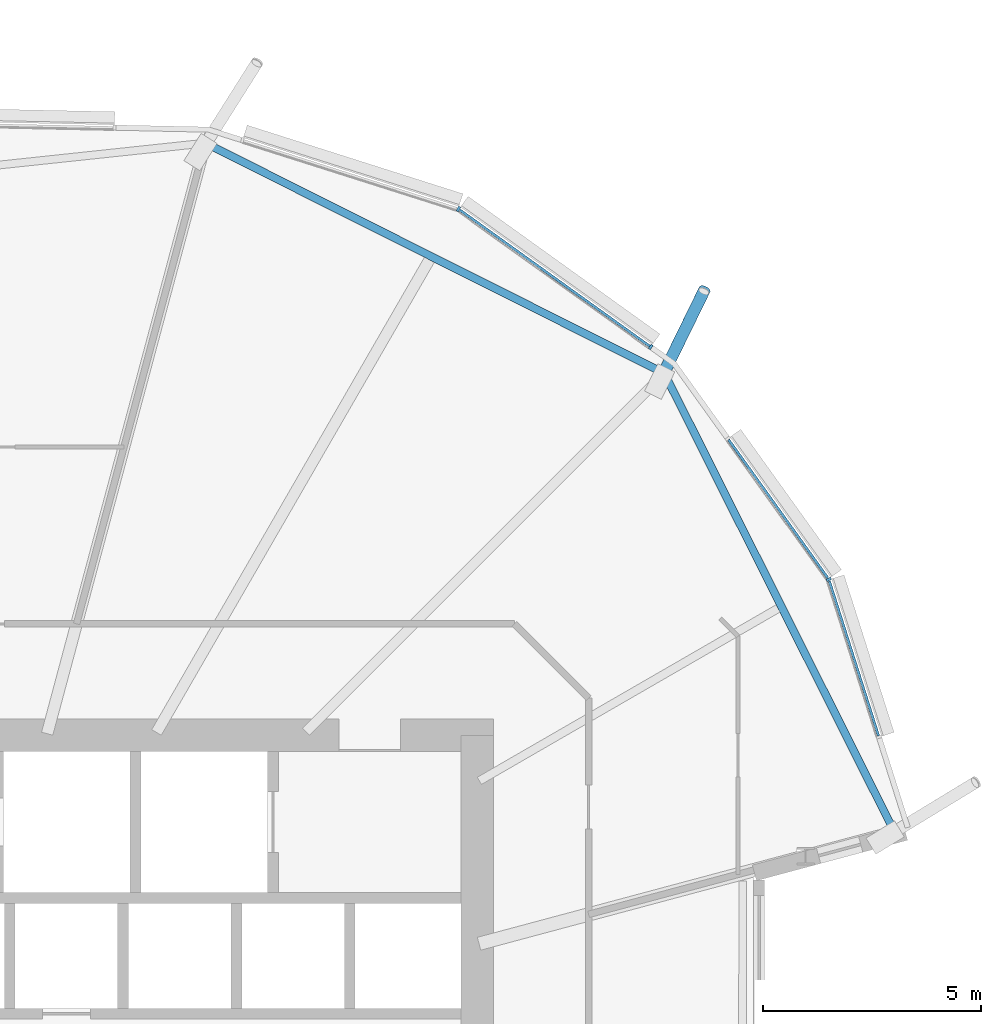
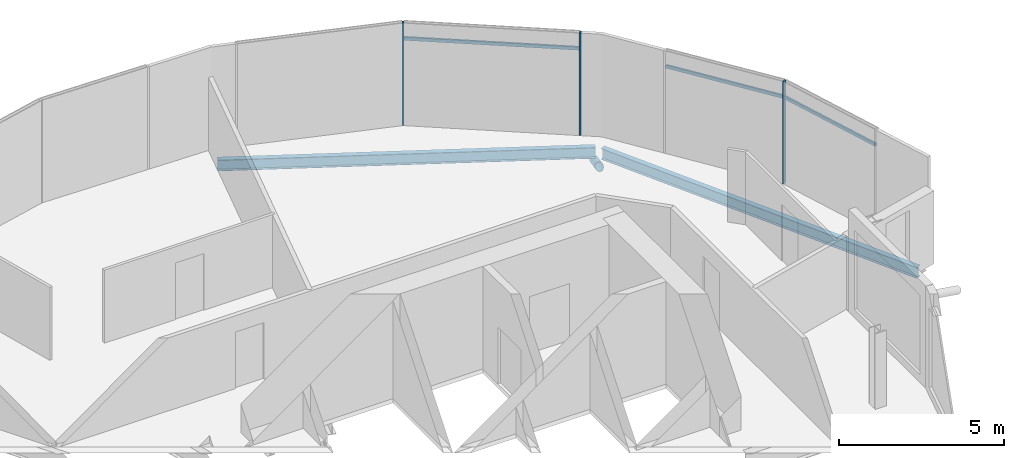
# One storey, part 19 of 38: 7 members, 2 beams, 1 element without a shape of its own.
"""IFC4 building model written with IfcOpenShell, lengths in metres."""

import ifcopenshell
import ifcopenshell.guid

model = None  # the IFC model being written
_history = None  # IfcOwnerHistory: only IFC2X3 demands one
_inside = {}  # id of a spatial element -> (the spatial element, [elements in it])
_under = {}  # id of a project, library or spatial element -> (it, [spatial elements below it])
_declared = {}  # id of a project -> (the project, [libraries it declares])
_typed = {}  # id of a type object -> (the type object, [elements of that type])
_made_of = {}  # id of a material, layer set ... -> (it, [elements and type objects made of it])


def new_model(schema):
    """Start an empty IFC model of exactly this schema.

    Asked for "IFC4X3", IfcOpenShell would pick the latest addendum, in which some entities
    have other attributes; the version numbers below select the first issue.
    IFC2X3 requires an IfcOwnerHistory on every rooted entity: one is made here for all.
    """
    global model, _history
    if schema == "IFC4X3":
        model = ifcopenshell.file(schema_version=(4, 3, 0, 0))
    else:
        model = ifcopenshell.file(schema=schema)
    _inside.clear()
    _under.clear()
    _declared.clear()
    _typed.clear()
    _made_of.clear()
    _history = None
    if model.schema == "IFC2X3":
        org = make("IfcOrganization", Name="unknown")
        user = make(
            "IfcPersonAndOrganization",
            ThePerson=make("IfcPerson", FamilyName="unknown"),
            TheOrganization=org,
        )
        app = make(
            "IfcApplication",
            ApplicationDeveloper=org,
            Version="unknown",
            ApplicationFullName="unknown",
            ApplicationIdentifier="unknown",
        )
        _history = make(
            "IfcOwnerHistory",
            OwningUser=user,
            OwningApplication=app,
            ChangeAction="ADDED",
            CreationDate=0,
        )
    return model


def make(cls, **values):
    """One entity of the class cls with the attributes given. An attribute that is None is left unset."""
    return model.create_entity(
        cls, **{name: value for name, value in values.items() if value is not None}
    )


def rooted(cls, **values):
    """An entity with a GlobalId (a new one), such as an element, a storey or a relation."""
    return make(cls, GlobalId=ifcopenshell.guid.new(), OwnerHistory=_history, **values)


def si_unit(unit_type, name, prefix=None):
    """IfcSIUnit, for example si_unit("LENGTHUNIT", "METRE", prefix="MILLI")."""
    return make("IfcSIUnit", UnitType=unit_type, Prefix=prefix, Name=name)


def assignment(units):
    """IfcUnitAssignment: the units of a project."""
    return None if units is None else make("IfcUnitAssignment", Units=units)


def point(xyz):
    """IfcCartesianPoint."""
    return None if xyz is None else make("IfcCartesianPoint", Coordinates=xyz)


def direction(xyz):
    """IfcDirection."""
    return None if xyz is None else make("IfcDirection", DirectionRatios=xyz)


def frame(location, z_axis=None, x_axis=None):
    """IfcAxis2Placement3D, a coordinate frame: its origin and axes. An axis left out is left unset."""
    return make(
        "IfcAxis2Placement3D",
        Location=point(location),
        Axis=direction(z_axis),
        RefDirection=direction(x_axis),
    )


def frame_2d(location, x_axis=None):
    """IfcAxis2Placement2D, a coordinate frame in the plane: its origin and x axis."""
    return make(
        "IfcAxis2Placement2D", Location=point(location), RefDirection=direction(x_axis)
    )


def origin():
    """The frame at (0, 0, 0) with its axes left unset."""
    return frame((0.0, 0.0, 0.0))


def origin_2d():
    """The frame at (0, 0) in the plane with its x axis left unset."""
    return frame_2d((0.0, 0.0))


def place(relative_to, where):
    """IfcLocalPlacement: puts the frame where relative to a parent placement (None: the world)."""
    return make(
        "IfcLocalPlacement", PlacementRelTo=relative_to, RelativePlacement=where
    )


def context(
    kind, dimensions, precision=None, world=None, true_north=None, identifier=None
):
    """IfcGeometricRepresentationContext, for example the 3D "Model" context."""
    return make(
        "IfcGeometricRepresentationContext",
        ContextIdentifier=identifier,
        ContextType=kind,
        CoordinateSpaceDimension=dimensions,
        Precision=precision,
        WorldCoordinateSystem=world,
        TrueNorth=true_north,
    )


def subcontext(parent, identifier, kind, view, scale=None):
    """IfcGeometricRepresentationSubContext, for example "Body" below "Model"."""
    return make(
        "IfcGeometricRepresentationSubContext",
        ContextIdentifier=identifier,
        ContextType=kind,
        ParentContext=parent,
        TargetScale=scale,
        TargetView=view,
    )


def project(units=None, contexts=None):
    """IfcProject with its units and contexts."""
    return rooted(
        "IfcProject",
        Name="project",
        RepresentationContexts=contexts,
        UnitsInContext=assignment(units),
    )


def spatial(cls, under=None, at=None, **own):
    """A site, building, storey or space (cls), placed at a placement, below another one or the project."""
    s = rooted(cls, ObjectPlacement=at, **own)
    if under is not None:
        _under.setdefault(under.id(), (under, []))[1].append(s)
    return s


def profile(cls, at=None, kind="AREA", **sizes):
    """A parametric profile (cls). Its sizes go by their IFC names, for example OverallWidth=200.0."""
    return make(cls, ProfileType=kind, Position=at, **sizes)


def rectangle(**sizes):
    """IfcRectangleProfileDef."""
    return profile("IfcRectangleProfileDef", **sizes)


def hollow_circle(**sizes):
    """IfcCircleHollowProfileDef."""
    return profile("IfcCircleHollowProfileDef", **sizes)


def i_section(**sizes):
    """IfcIShapeProfileDef."""
    return profile("IfcIShapeProfileDef", **sizes)


def extrude(swept, where, along, depth):
    """IfcExtrudedAreaSolid: the profile swept, set in the frame where, extruded along a direction by depth."""
    return make(
        "IfcExtrudedAreaSolid",
        SweptArea=swept,
        Position=where,
        ExtrudedDirection=direction(along),
        Depth=depth,
    )


def clip(a, b, op="DIFFERENCE"):
    """IfcBooleanClippingResult: the solid a cut by the half space b."""
    return make(
        "IfcBooleanClippingResult", Operator=op, FirstOperand=a, SecondOperand=b
    )


def halfspace(plane, agree):
    """IfcHalfSpaceSolid: all space on one side of the plane z = 0 of the frame plane."""
    return make(
        "IfcHalfSpaceSolid",
        BaseSurface=make("IfcPlane", Position=plane),
        AgreementFlag=agree,
    )


def shape(context_of_items, identifier, shape_type, items):
    """IfcShapeRepresentation: the items that make up one representation, for example the "Body"."""
    return make(
        "IfcShapeRepresentation",
        ContextOfItems=context_of_items,
        RepresentationIdentifier=identifier,
        RepresentationType=shape_type,
        Items=items,
    )


def material(Name=None, Category=None):
    """IfcMaterial."""
    return make("IfcMaterial", Name=Name, Category=Category)


def material_profile(
    of_material, cross_section, Name=None, Category=None, Priority=None
):
    """IfcMaterialProfile: a cross section and its material."""
    return make(
        "IfcMaterialProfile",
        Name=Name,
        Material=of_material,
        Profile=cross_section,
        Priority=Priority,
        Category=Category,
    )


def profile_set(profiles, Name=None, composite=None):
    """IfcMaterialProfileSet."""
    return make(
        "IfcMaterialProfileSet",
        Name=Name,
        MaterialProfiles=profiles,
        CompositeProfile=composite,
    )


def made_of(thing, what):
    """Note that an element or type object is made of a material, layer set ...; save() writes the relation."""
    if what is not None:
        _made_of.setdefault(what.id(), (what, []))[1].append(thing)
    return thing


def type_object(cls, material=None, **own):
    """A type object (cls), such as IfcWallType, which elements share."""
    return made_of(rooted(cls, **own), material)


def element(
    cls,
    number,
    at=None,
    inside=None,
    cuts=None,
    type_object=None,
    material=None,
    context=None,
    identifier="Body",
    shape_type=None,
    held_by="IfcProductDefinitionShape",
    body=None,
    shapes=None,
    **own,
):
    """One element of the class cls, such as IfcWall. Its Tag is "e" and its number.

    at: its placement. inside: the storey or other place that contains it. cuts: it is an
    opening in that element (IfcRelVoidsElement). A single representation is given by context,
    identifier, shape_type and body (its items); several are given by shapes. held_by: the class
    of the entity that holds the representations. save() writes the other relations.
    """
    e = rooted(cls, Tag="e%d" % number, ObjectPlacement=at, **own)
    if body is not None:
        shapes = [shape(context, identifier, shape_type, body)]
    if shapes is not None:
        e.Representation = make(held_by, Representations=shapes)
    if inside is not None:
        _inside.setdefault(inside.id(), (inside, []))[1].append(e)
    if cuts is not None:
        rooted(
            "IfcRelVoidsElement", RelatingBuildingElement=cuts, RelatedOpeningElement=e
        )
    if type_object is not None:
        _typed.setdefault(type_object.id(), (type_object, []))[1].append(e)
    return made_of(e, material)


def aggregate(whole, parts):
    """IfcRelAggregates: a whole, such as a stair, and the parts it consists of."""
    return rooted("IfcRelAggregates", RelatingObject=whole, RelatedObjects=parts)


def save(model, path):
    """Write the relations noted so far, then the file.

    IfcRelAggregates (storeys below a building ...), IfcRelContainedInSpatialStructure (elements
    in a storey), IfcRelDefinesByType, IfcRelAssociatesMaterial and IfcRelDeclares: one each for
    every whole, place, type object, material and project.
    """
    for whole, parts in _under.values():
        aggregate(whole, parts)
    for where, things in _inside.values():
        rooted(
            "IfcRelContainedInSpatialStructure",
            RelatedElements=things,
            RelatingStructure=where,
        )
    for kind, things in _typed.values():
        rooted("IfcRelDefinesByType", RelatedObjects=things, RelatingType=kind)
    for what, things in _made_of.values():
        rooted("IfcRelAssociatesMaterial", RelatedObjects=things, RelatingMaterial=what)
    for by, libraries in _declared.values():
        rooted("IfcRelDeclares", RelatingContext=by, RelatedDefinitions=libraries)
    model.write(path)


model = new_model("IFC4")

# Units and contexts
model_context = context("Model", 3, precision=1e-05, world=origin(), true_north=direction((0.0, 1.0)))
body_context = subcontext(model_context, "Body", "Model", "MODEL_VIEW")
ifc_project = project(units=[si_unit("LENGTHUNIT", "METRE"), si_unit("AREAUNIT", "SQUARE_METRE"), si_unit("VOLUMEUNIT", "CUBIC_METRE"), si_unit("PLANEANGLEUNIT", "RADIAN"), si_unit("MASSUNIT", "GRAM", prefix="KILO")], contexts=[model_context])

# Site, building, storey
site_placement = place(None, origin())
site = spatial("IfcSite", under=ifc_project, at=site_placement, CompositionType="ELEMENT")
building_placement = place(site_placement, origin())
building = spatial("IfcBuilding", under=site, at=building_placement, Name="Rimbun Link Towers", CompositionType="ELEMENT")
storey_placement = place(building_placement, frame((0.0, 0.0, 108.199951171875)))
storey = spatial("IfcBuildingStorey", under=building, at=storey_placement, Name="L26", CompositionType="ELEMENT", Elevation=108.199951171875)

# Curtain wall, members
ifc_material_1 = material(Name="Aluminium 6063-T6 and low-iron glass", Category="aluminium")
curtain_wall_type = type_object("IfcCurtainWallType", Name="CW1-Z2 unitised vision wall (zone 2)", PredefinedType="NOTDEFINED", material=ifc_material_1)
curtain_wall_placement = place(storey_placement, origin())
curtain_wall = element("IfcCurtainWall", 1, at=curtain_wall_placement, inside=storey, type_object=curtain_wall_type, Name="CW1 L26 T2", PredefinedType="NOTDEFINED")
ifc_material_2 = material(Name="Aluminium 6063-T6", Category="aluminium")
ifc_material_profile_1 = material_profile(ifc_material_2, rectangle(XDim=0.1201171875, YDim=0.06005859375, at=origin_2d()), Name="MULLION 60X120")
ifc_profile_set_1 = profile_set([ifc_material_profile_1], Name="Aluminium 6063-T6")
member_type_1 = type_object("IfcMemberType", Name="CW1 mullion 60X120", PredefinedType="MULLION", material=ifc_profile_set_1)
member_1_placement = place(storey_placement, frame((43.3203125, 20.04736328125, 0.0), z_axis=(0.0, 0.0, 1.0), x_axis=(0.448567495073, 0.893748959364, 0.0)))
member_1 = element("IfcMember", 2, at=member_1_placement, type_object=member_type_1, Name="CW1 mullion", PredefinedType="MULLION", context=body_context, shape_type="SweptSolid", body=[
    extrude(rectangle(XDim=0.1201171875, YDim=0.06005859375, at=origin_2d()), origin(), (0.0, 0.0, 1.0), 3.800048828125),
])
member_2_placement = place(storey_placement, frame((47.72021484375, 16.89111328125, 0.0), z_axis=(0.0, 0.0, 1.0), x_axis=(0.583006707221, 0.812467340473, 0.0)))
member_2 = element("IfcMember", 3, at=member_2_placement, type_object=member_type_1, Name="CW1 mullion", PredefinedType="MULLION", context=body_context, shape_type="SweptSolid", body=[
    extrude(rectangle(XDim=0.1201171875, YDim=0.06005859375, at=origin_2d()), origin(), (0.0, 0.0, 1.0), 3.800048828125),
])
member_3_placement = place(storey_placement, frame((51.79736328125, 11.5703125, 0.0), z_axis=(0.0, 0.0, 1.0), x_axis=(0.893748959364, 0.448567495073, 0.0)))
member_3 = element("IfcMember", 4, at=member_3_placement, type_object=member_type_1, Name="CW1 mullion", PredefinedType="MULLION", context=body_context, shape_type="SweptSolid", body=[
    extrude(rectangle(XDim=0.1201171875, YDim=0.06005859375, at=origin_2d()), origin(), (0.0, 0.0, 1.0), 3.800048828125),
])
ifc_material_3 = material(Name="Aluminium 6063-T6", Category="aluminium")
ifc_material_profile_2 = material_profile(ifc_material_3, rectangle(XDim=0.06005859375, YDim=0.1201171875, at=origin_2d()), Name="TRANSOM 60X120")
ifc_profile_set_2 = profile_set([ifc_material_profile_2], Name="Aluminium 6063-T6")
member_type_2 = type_object("IfcMemberType", Name="CW1 transom 60X120", PredefinedType="USERDEFINED", material=ifc_profile_set_2)
member_4_placement = place(storey_placement, frame((43.3515625, 20.0234375, 3.199951171875), z_axis=(0.812466294381, -0.583008165033, 0.0), x_axis=(0.583008165033, 0.812466294381, 0.0)))
member_4 = element("IfcMember", 5, at=member_4_placement, type_object=member_type_2, Name="CW1 transom", ObjectType="TRANSOM", PredefinedType="USERDEFINED", context=body_context, shape_type="SweptSolid", body=[
    extrude(rectangle(XDim=0.06005859375, YDim=0.1201171875, at=origin_2d()), origin(), (0.0, 0.0, 1.0), 5.345458984375),
])
member_5_placement = place(storey_placement, frame((51.80810546875, 11.532470703125, 3.199951171875), z_axis=(0.30305203266, -0.952974010926, 0.0), x_axis=(0.952974010926, 0.30305203266, 0.0)))
member_5 = element("IfcMember", 6, at=member_5_placement, type_object=member_type_2, Name="CW1 transom", ObjectType="TRANSOM", PredefinedType="USERDEFINED", context=body_context, shape_type="SweptSolid", body=[
    extrude(rectangle(XDim=0.06005859375, YDim=0.1201171875, at=origin_2d()), origin(), (0.0, 0.0, 1.0), 3.721923828125),
])
member_6_placement = place(storey_placement, frame((49.502197265625, 14.7666015625, 3.199951171875), z_axis=(0.583021204161, -0.812456937627, 0.0), x_axis=(0.812456937627, 0.583021204161, 0.0)))
member_6 = element("IfcMember", 7, at=member_6_placement, type_object=member_type_2, Name="CW1 transom", ObjectType="TRANSOM", PredefinedType="USERDEFINED", context=body_context, shape_type="SweptSolid", body=[
    extrude(rectangle(XDim=0.06005859375, YDim=0.1201171875, at=origin_2d()), origin(), (0.0, 0.0, 1.0), 3.895751953125),
])
aggregate(curtain_wall, [member_1, member_2, member_3, member_4, member_5, member_6])

# Member
ifc_material_4 = material(Name="Steel S355J2H", Category="steel")
ifc_material_profile_3 = material_profile(ifc_material_4, hollow_circle(Radius=0.136474609375, WallThickness=0.012451171875, at=origin_2d()), Name="CHS 273x12.5")
ifc_profile_set_3 = profile_set([ifc_material_profile_3], Name="Steel S355J2H")
member_type_3 = type_object("IfcMemberType", Name="Floor edge link CHS 273x12.5", PredefinedType="BRACE", material=ifc_profile_set_3)
member_7_placement = place(storey_placement, frame((47.998779296875, 16.248779296875, -0.8798828125), z_axis=(0.379410297997, 0.775144511565, -0.505172061742), x_axis=(-0.898178171139, 0.439631633176, 0.0)))
element("IfcMember", 8, at=member_7_placement, inside=storey, type_object=member_type_3, Name="Floor edge link T2 L26 00", PredefinedType="BRACE", context=body_context, shape_type="Clipping", body=[
    clip(extrude(hollow_circle(Radius=0.136474609375, WallThickness=0.012451171875, at=origin_2d()), frame((0.0, 0.0, -0.486083984375)), (0.0, 0.0, 1.0), 3.013671875), halfspace(frame((0.0, 0.0, -0.228271484375), z_axis=(0.0, 0.863018648718, -0.505172061742)), False)),
])

# Beams
ifc_material_5 = material(Name="Steel S355J2", Category="steel")
ifc_material_profile_4 = material_profile(ifc_material_5, i_section(OverallWidth=0.177978515625, OverallDepth=0.406494140625, WebThickness=0.0078125, FlangeThickness=0.0126953125, at=origin_2d()), Name="UB 406x178x60")
ifc_profile_set_4 = profile_set([ifc_material_profile_4], Name="Steel S355J2")
beam_type = type_object("IfcBeamType", Name="UB 406x178x60", PredefinedType="BEAM", material=ifc_profile_set_4)
beam_1_placement = place(storey_placement, frame((47.926025390625, 16.33837890625, -0.363037109375), z_axis=(-0.893751001661, 0.448563425872, 0.0), x_axis=(-0.448563425872, -0.893751001661, 0.0)))
element("IfcBeam", 9, at=beam_1_placement, inside=storey, type_object=beam_type, Name="Edge beam T2 L26 00-02", PredefinedType="BEAM", context=body_context, shape_type="SweptSolid", body=[
    extrude(i_section(OverallWidth=0.177978515625, OverallDepth=0.406494140625, WebThickness=0.0078125, FlangeThickness=0.0126953125, at=origin_2d()), origin(), (0.0, 0.0, 1.0), 11.498779296875),
])
beam_2_placement = place(storey_placement, frame((53.2373046875, 5.916748046875, -0.363037109375), z_axis=(-0.448557273486, 0.893754089447, 0.0), x_axis=(-0.893754089447, -0.448557273486, 0.0)))
element("IfcBeam", 10, at=beam_2_placement, inside=storey, type_object=beam_type, Name="Edge beam T2 L26 22-00", PredefinedType="BEAM", context=body_context, shape_type="SweptSolid", body=[
    extrude(i_section(OverallWidth=0.177978515625, OverallDepth=0.406494140625, WebThickness=0.0078125, FlangeThickness=0.0126953125, at=origin_2d()), origin(), (0.0, 0.0, 1.0), 11.478759765625),
])

save(model, "model.ifc")
